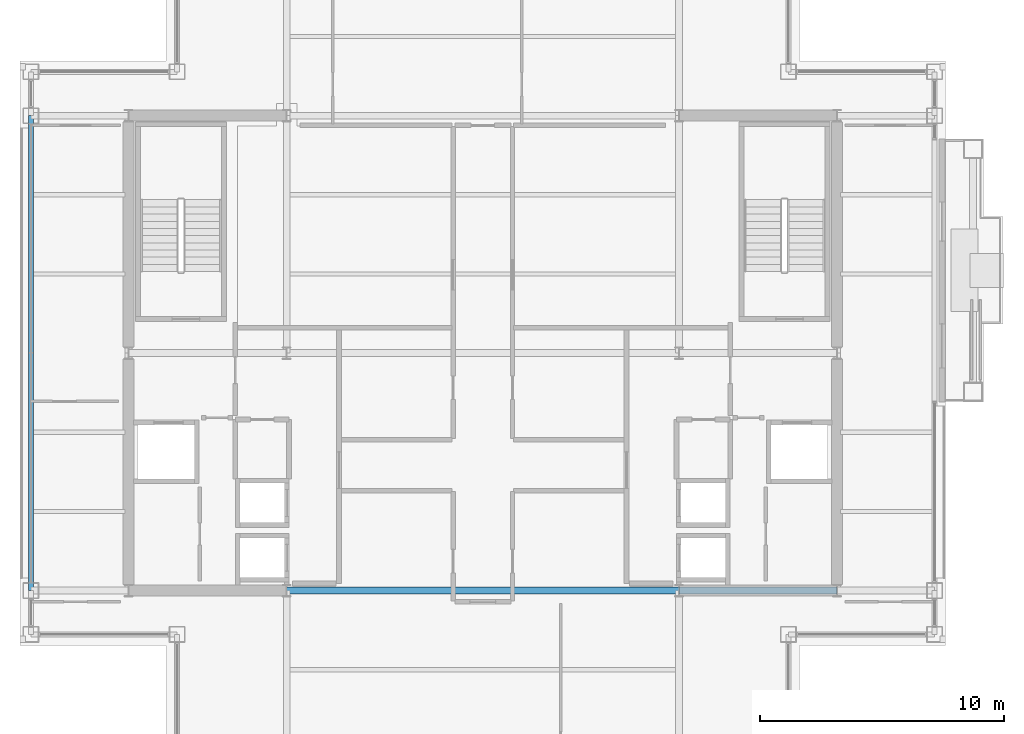
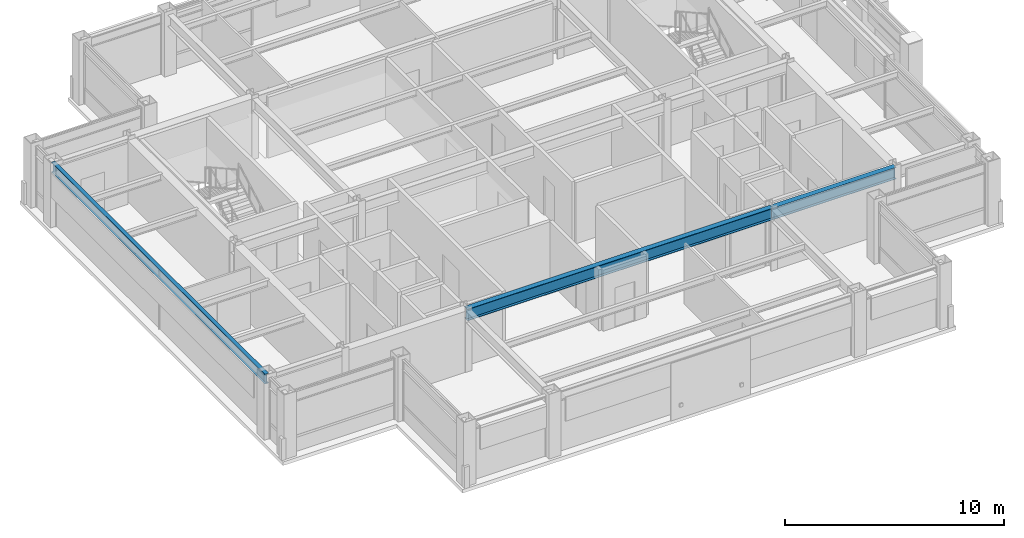
# One storey, part 5 of 23: 3 beams.
"""IFC4 building model written with IfcOpenShell, lengths in metres."""

from ifc_helpers import new_model, si_unit, direction, frame, origin, origin_2d, place, context, subcontext, project, spatial, i_section, extrude, material, material_profile, profile_set, type_object, element, save


model = new_model("IFC4")

# Units and contexts
model_context = context("Model", 3, precision=1e-05, world=origin(), true_north=direction((0.0, 1.0)))
body_context = subcontext(model_context, "Body", "Model", "MODEL_VIEW")
ifc_project = project(units=[si_unit("LENGTHUNIT", "METRE"), si_unit("AREAUNIT", "SQUARE_METRE"), si_unit("VOLUMEUNIT", "CUBIC_METRE"), si_unit("PLANEANGLEUNIT", "RADIAN"), si_unit("MASSUNIT", "GRAM", prefix="KILO")], contexts=[model_context])

# Site, building, storey
site_placement = place(None, origin())
site = spatial("IfcSite", under=ifc_project, at=site_placement, CompositionType="ELEMENT")
building_placement = place(site_placement, origin())
building = spatial("IfcBuilding", under=site, at=building_placement, Name="Brelmoor Portico Tower", CompositionType="ELEMENT")
storey_placement = place(building_placement, frame((0.0, 0.0, 222.0)))
storey = spatial("IfcBuildingStorey", under=building, at=storey_placement, Name="L58", CompositionType="ELEMENT", Elevation=222.0)

# Beams
ifc_material = material(Name="Steel Q355B", Category="steel")
ifc_material_profile_1 = material_profile(ifc_material, i_section(OverallWidth=0.280029296875, OverallDepth=0.64990234375, WebThickness=0.012939453125, FlangeThickness=0.02197265625, at=origin_2d()), Name="HN 650x280x13x22")
ifc_profile_set_1 = profile_set([ifc_material_profile_1], Name="Steel Q355B")
beam_type_1 = type_object("IfcBeamType", Name="BM-PG-650", PredefinedType="BEAM", material=ifc_profile_set_1)
beam_1_placement = place(storey_placement, frame((-8.050048828125, -9.75, 3.074951171875), z_axis=(1.0, 0.0, 0.0), x_axis=(0.0, 1.0, 0.0)))
element("IfcBeam", 1, at=beam_1_placement, inside=storey, type_object=beam_type_1, Name="L58 Primary Floor Girder PG-13", PredefinedType="BEAM", context=body_context, shape_type="SweptSolid", body=[
    extrude(i_section(OverallWidth=0.280029296875, OverallDepth=0.64990234375, WebThickness=0.012939453125, FlangeThickness=0.02197265625, at=origin_2d()), origin(), (0.0, 0.0, 1.0), 16.10009765625),
])
beam_2_placement = place(storey_placement, frame((8.050048828125, -9.75, 3.074951171875), z_axis=(1.0, 0.0, 0.0), x_axis=(0.0, 1.0, 0.0)))
element("IfcBeam", 2, at=beam_2_placement, inside=storey, type_object=beam_type_1, Name="L58 Primary Floor Girder PG-14", PredefinedType="BEAM", context=body_context, shape_type="SweptSolid", body=[
    extrude(i_section(OverallWidth=0.280029296875, OverallDepth=0.64990234375, WebThickness=0.012939453125, FlangeThickness=0.02197265625, at=origin_2d()), origin(), (0.0, 0.0, 1.0), 6.5),
])
ifc_material_profile_2 = material_profile(ifc_material, i_section(OverallWidth=0.199951171875, OverallDepth=0.550048828125, WebThickness=0.010009765625, FlangeThickness=0.01611328125, at=origin_2d()), Name="HN 550x200x10x16")
ifc_profile_set_2 = profile_set([ifc_material_profile_2], Name="Steel Q355B")
beam_type_2 = type_object("IfcBeamType", Name="BM-SP-550", PredefinedType="SPANDREL", material=ifc_profile_set_2)
beam_3_placement = place(storey_placement, frame((-18.550048828125, -9.75, 3.125), z_axis=(0.0, 1.0, 0.0), x_axis=(-1.0, 0.0, 0.0)))
element("IfcBeam", 3, at=beam_3_placement, inside=storey, type_object=beam_type_2, Name="L58 Perimeter Spandrel Beam SP-12", PredefinedType="SPANDREL", context=body_context, shape_type="SweptSolid", body=[
    extrude(i_section(OverallWidth=0.199951171875, OverallDepth=0.550048828125, WebThickness=0.010009765625, FlangeThickness=0.01611328125, at=origin_2d()), origin(), (0.0, 0.0, 1.0), 19.5),
])

save(model, "model.ifc")
